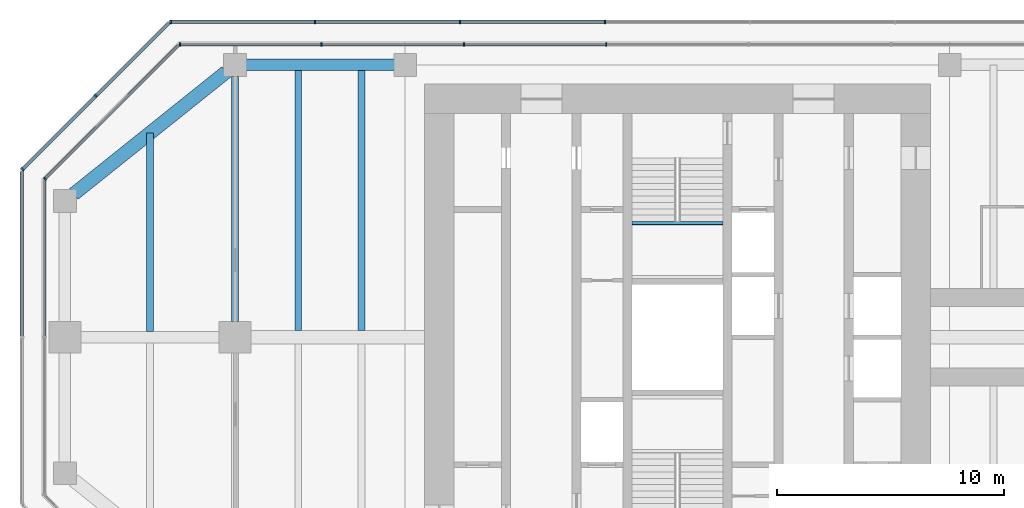
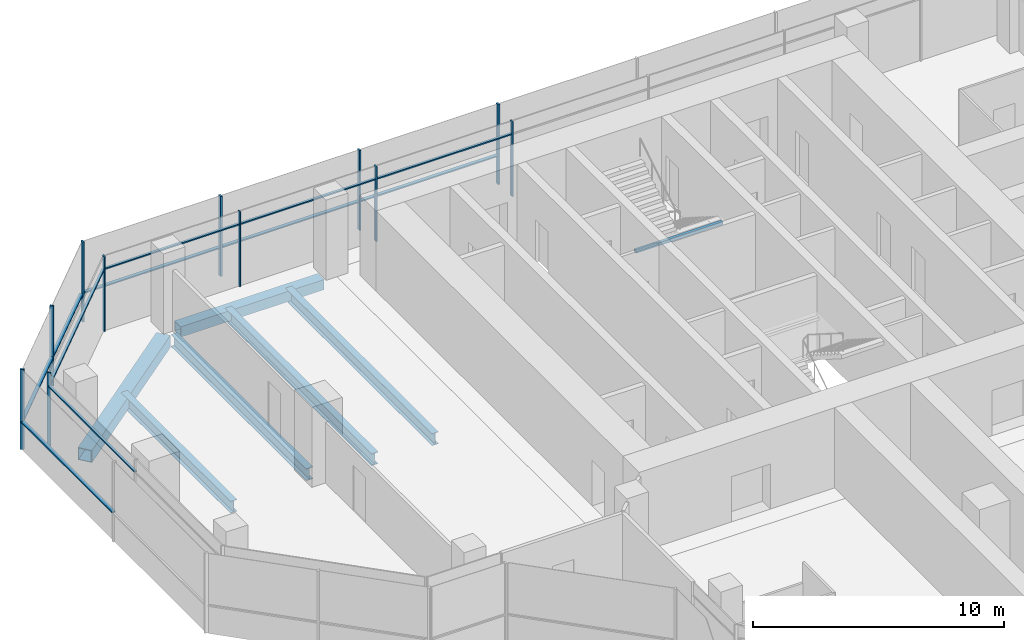
# One storey, part 6 of 15: 22 members, 7 beams, 6 elements without a shape of their own.
"""IFC4 building model written with IfcOpenShell, lengths in metres."""

from ifc_helpers import new_model, si_unit, direction, frame, origin, origin_2d, place, context, subcontext, project, spatial, rectangle, hollow_rectangle, i_section, extrude, material, material_profile, profile_set, type_object, element, aggregate, save


model = new_model("IFC4")

# Units and contexts
model_context = context("Model", 3, precision=1e-05, world=origin(), true_north=direction((0.0, 1.0)))
body_context = subcontext(model_context, "Body", "Model", "MODEL_VIEW")
ifc_project = project(units=[si_unit("LENGTHUNIT", "METRE"), si_unit("AREAUNIT", "SQUARE_METRE"), si_unit("VOLUMEUNIT", "CUBIC_METRE"), si_unit("PLANEANGLEUNIT", "RADIAN"), si_unit("MASSUNIT", "GRAM", prefix="KILO")], contexts=[model_context])

# Site, building, storey
site_placement = place(None, origin())
site = spatial("IfcSite", under=ifc_project, at=site_placement, CompositionType="ELEMENT")
building_placement = place(site_placement, origin())
building = spatial("IfcBuilding", under=site, at=building_placement, Name="Mizan Broadcast Tower", CompositionType="ELEMENT")
storey_placement = place(building_placement, frame((0.0, 0.0, 302.39990234375)))
storey = spatial("IfcBuildingStorey", under=building, at=storey_placement, Name="L72", CompositionType="ELEMENT", Elevation=302.39990234375)

# Beams
ifc_material_1 = material(Name="Steel S355", Category="steel")
ifc_material_profile_1 = material_profile(ifc_material_1, hollow_rectangle(XDim=0.5, YDim=0.5, WallThickness=0.030029296875, at=origin_2d()), Name="BOX 500x500x30")
ifc_profile_set_1 = profile_set([ifc_material_profile_1], Name="Steel S355")
beam_type_1 = type_object("IfcBeamType", Name="EDGE BEAM BOX 500x500x30", PredefinedType="SPANDREL", material=ifc_profile_set_1)
beam_1_placement = place(storey_placement, frame((-12.449951171875, 12.0, -0.3798828125), z_axis=(-1.0, 0.0, 0.0), x_axis=(0.0, -1.0, 0.0)))
element("IfcBeam", 1, at=beam_1_placement, inside=storey, type_object=beam_type_1, Name="Edge beam BOX 500x500x30 L72 west arm", PredefinedType="SPANDREL", context=body_context, shape_type="SweptSolid", body=[
    extrude(hollow_rectangle(XDim=0.5, YDim=0.5, WallThickness=0.030029296875, at=origin_2d()), origin(), (0.0, 0.0, 1.0), 6.60009765625),
])
ifc_material_2 = material(Name="Steel S355", Category="steel")
ifc_material_profile_2 = material_profile(ifc_material_2, hollow_rectangle(XDim=0.60009765625, YDim=0.60009765625, WallThickness=0.030029296875, at=origin_2d()), Name="BOX 600x600x30")
ifc_profile_set_2 = profile_set([ifc_material_profile_2], Name="Steel S355")
beam_type_2 = type_object("IfcBeamType", Name="EDGE BEAM BOX 600x600x30", PredefinedType="SPANDREL", material=ifc_profile_set_2)
beam_2_placement = place(storey_placement, frame((-19.890380859375, 11.687744140625, -0.429931640625), z_axis=(-0.780863273348, -0.62470196761, 0.0), x_axis=(0.62470196761, -0.780863273348, 0.0)))
element("IfcBeam", 2, at=beam_2_placement, inside=storey, type_object=beam_type_2, Name="Edge beam BOX 600x600x30 L72 west arm", PredefinedType="SPANDREL", context=body_context, shape_type="SweptSolid", body=[
    extrude(hollow_rectangle(XDim=0.60009765625, YDim=0.60009765625, WallThickness=0.030029296875, at=origin_2d()), origin(), (0.0, 0.0, 1.0), 8.60498046875),
])
ifc_material_3 = material(Name="Steel S355", Category="steel")
ifc_material_profile_3 = material_profile(ifc_material_3, i_section(OverallWidth=0.300048828125, OverallDepth=0.590087890625, WebThickness=0.012939453125, FlangeThickness=0.02490234375, FilletRadius=0.027099609375, at=origin_2d()), Name="HEA 600")
ifc_profile_set_3 = profile_set([ifc_material_profile_3], Name="Steel S355")
beam_type_3 = type_object("IfcBeamType", Name="GIRDER HEA 600", PredefinedType="BEAM", material=ifc_profile_set_3)
beam_3_placement = place(storey_placement, frame((-19.5, 11.5, -0.4248046875), z_axis=(0.0, -1.0, 0.0), x_axis=(1.0, 0.0, 0.0)))
element("IfcBeam", 3, at=beam_3_placement, inside=storey, type_object=beam_type_3, Name="Girder HEA 600 L72 west arm", PredefinedType="BEAM", context=body_context, shape_type="SweptSolid", body=[
    extrude(i_section(OverallWidth=0.300048828125, OverallDepth=0.590087890625, WebThickness=0.012939453125, FlangeThickness=0.02490234375, FilletRadius=0.027099609375, at=origin_2d()), origin(), (0.0, 0.0, 1.0), 10.800048828125),
])

# Curtain wall, members
ifc_material_4 = material(Name="Aluminium framed glazing", Category="aluminium")
curtain_wall_type_1 = type_object("IfcCurtainWallType", Name="INNER SKIN TOP ZONE", PredefinedType="USERDEFINED", material=ifc_material_4)
curtain_wall_1_placement = place(storey_placement, origin())
curtain_wall_1 = element("IfcCurtainWall", 4, at=curtain_wall_1_placement, inside=storey, type_object=curtain_wall_type_1, Name="Inner skin top zone L72 N end", ObjectType="INNER SKIN TOP ZONE", PredefinedType="USERDEFINED")
ifc_material_5 = material(Name="Aluminium, pale anodised", Category="aluminium")
ifc_material_profile_4 = material_profile(ifc_material_5, rectangle(XDim=0.159912109375, YDim=0.06005859375, at=origin_2d()), Name="MULLION 160x60")
ifc_profile_set_4 = profile_set([ifc_material_profile_4], Name="Aluminium, pale anodised")
member_type_1 = type_object("IfcMemberType", Name="INNER SKIN MULLION 60x160", PredefinedType="MULLION", material=ifc_profile_set_4)
member_1_placement = place(storey_placement, frame((-3.136962890625, 12.89990234375, 0.0), z_axis=(0.0, 0.0, 1.0), x_axis=(0.0, -1.0, 0.0)))
member_1 = element("IfcMember", 5, at=member_1_placement, type_object=member_type_1, Name="Inner skin top zone L72 N end mullion 5", PredefinedType="MULLION", context=body_context, shape_type="SweptSolid", body=[
    extrude(rectangle(XDim=0.159912109375, YDim=0.06005859375, at=origin_2d()), origin(), (0.0, 0.0, 1.0), 3.650146484375),
])
member_2_placement = place(storey_placement, frame((-9.410888671875, 12.89990234375, 0.0), z_axis=(0.0, 0.0, 1.0), x_axis=(0.0, -1.0, 0.0)))
member_2 = element("IfcMember", 6, at=member_2_placement, type_object=member_type_1, Name="Inner skin top zone L72 N end mullion 6", PredefinedType="MULLION", context=body_context, shape_type="SweptSolid", body=[
    extrude(rectangle(XDim=0.159912109375, YDim=0.06005859375, at=origin_2d()), origin(), (0.0, 0.0, 1.0), 3.650146484375),
])
member_3_placement = place(storey_placement, frame((-15.684814453125, 12.89990234375, 0.0), z_axis=(0.0, 0.0, 1.0), x_axis=(0.0, -1.0, 0.0)))
member_3 = element("IfcMember", 7, at=member_3_placement, type_object=member_type_1, Name="Inner skin top zone L72 N end mullion 7", PredefinedType="MULLION", context=body_context, shape_type="SweptSolid", body=[
    extrude(rectangle(XDim=0.159912109375, YDim=0.06005859375, at=origin_2d()), origin(), (0.0, 0.0, 1.0), 3.650146484375),
])
member_4_placement = place(storey_placement, frame((-21.928466796875, 12.89990234375, 0.0), z_axis=(0.0, 0.0, 1.0), x_axis=(0.0, -1.0, 0.0)))
member_4 = element("IfcMember", 8, at=member_4_placement, type_object=member_type_1, Name="Inner skin top zone L72 N end mullion 8", PredefinedType="MULLION", context=body_context, shape_type="SweptSolid", body=[
    extrude(rectangle(XDim=0.159912109375, YDim=0.06005859375, at=origin_2d()), origin(), (0.0, 0.0, 1.0), 3.650146484375),
])

# Curtain wall, member
curtain_wall_2_placement = place(storey_placement, origin())
curtain_wall_2 = element("IfcCurtainWall", 9, at=curtain_wall_2_placement, inside=storey, type_object=curtain_wall_type_1, Name="Inner skin top zone L72 W chamfer", ObjectType="INNER SKIN TOP ZONE", PredefinedType="USERDEFINED")
member_5_placement = place(storey_placement, frame((-27.87890625, 6.979736328125, 0.0), z_axis=(0.0, 0.0, 1.0), x_axis=(0.707106781187, -0.707106781187, 0.0)))
member_5 = element("IfcMember", 10, at=member_5_placement, type_object=member_type_1, Name="Inner skin top zone L72 W chamfer mullion 2", PredefinedType="MULLION", context=body_context, shape_type="SweptSolid", body=[
    extrude(rectangle(XDim=0.159912109375, YDim=0.06005859375, at=origin_2d()), origin(), (0.0, 0.0, 1.0), 3.650146484375),
])

# Member
ifc_material_6 = material(Name="Aluminium, pale anodised", Category="aluminium")
ifc_material_profile_5 = material_profile(ifc_material_6, rectangle(XDim=0.1201171875, YDim=0.06005859375, at=origin_2d()), Name="TRANSOM 120x60")
ifc_profile_set_5 = profile_set([ifc_material_profile_5], Name="Aluminium, pale anodised")
member_type_2 = type_object("IfcMemberType", Name="INNER SKIN TRANSOM 60x120", PredefinedType="USERDEFINED", material=ifc_profile_set_5)
member_6_placement = place(storey_placement, frame((-3.1669921875, 12.89990234375, 3.030029296875), z_axis=(-1.0, 0.0, 0.0), x_axis=(0.0, -1.0, 0.0)))
member_6 = element("IfcMember", 11, at=member_6_placement, type_object=member_type_2, Name="Inner skin top zone L72 N end transom 5.1", ObjectType="TRANSOM", PredefinedType="USERDEFINED", context=body_context, shape_type="SweptSolid", body=[
    extrude(rectangle(XDim=0.1201171875, YDim=0.06005859375, at=origin_2d()), origin(), (0.0, 0.0, 1.0), 6.2138671875),
])

member_7_placement = place(storey_placement, frame((-9.44091796875, 12.89990234375, 3.030029296875), z_axis=(-1.0, 0.0, 0.0), x_axis=(0.0, -1.0, 0.0)))
member_7 = element("IfcMember", 12, at=member_7_placement, type_object=member_type_2, Name="Inner skin top zone L72 N end transom 6.1", ObjectType="TRANSOM", PredefinedType="USERDEFINED", context=body_context, shape_type="SweptSolid", body=[
    extrude(rectangle(XDim=0.1201171875, YDim=0.06005859375, at=origin_2d()), origin(), (0.0, 0.0, 1.0), 6.2138671875),
])

member_8_placement = place(storey_placement, frame((-15.714599609375, 12.89990234375, 3.030029296875), z_axis=(-1.0, 0.0, 0.0), x_axis=(0.0, -1.0, 0.0)))
member_8 = element("IfcMember", 13, at=member_8_placement, type_object=member_type_2, Name="Inner skin top zone L72 N end transom 7.1", ObjectType="TRANSOM", PredefinedType="USERDEFINED", context=body_context, shape_type="SweptSolid", body=[
    extrude(rectangle(XDim=0.1201171875, YDim=0.06005859375, at=origin_2d()), origin(), (0.0, 0.0, 1.0), 6.18408203125),
])

aggregate(curtain_wall_1, [member_1, member_2, member_3, member_4, member_6, member_7, member_8])

member_9_placement = place(storey_placement, frame((-22.0009765625, 12.857666015625, 3.030029296875), z_axis=(-0.707106781187, -0.707106781187, 0.0), x_axis=(0.707106781187, -0.707106781187, 0.0)))
member_9 = element("IfcMember", 14, at=member_9_placement, type_object=member_type_2, Name="Inner skin top zone L72 W chamfer transom 1.1", ObjectType="TRANSOM", PredefinedType="USERDEFINED", context=body_context, shape_type="SweptSolid", body=[
    extrude(rectangle(XDim=0.1201171875, YDim=0.06005859375, at=origin_2d()), origin(), (0.0, 0.0, 1.0), 8.28271484375),
])

aggregate(curtain_wall_2, [member_5, member_9])

# Curtain wall, member
curtain_wall_3_placement = place(storey_placement, origin())
curtain_wall_3 = element("IfcCurtainWall", 15, at=curtain_wall_3_placement, inside=storey, type_object=curtain_wall_type_1, Name="Inner skin top zone L72 W end", ObjectType="INNER SKIN TOP ZONE", PredefinedType="USERDEFINED")
member_10_placement = place(storey_placement, frame((-27.89990234375, 6.898681640625, 3.030029296875), z_axis=(0.0, -1.0, 0.0), x_axis=(1.0, 0.0, 0.0)))
member_10 = element("IfcMember", 16, at=member_10_placement, type_object=member_type_2, Name="Inner skin top zone L72 W end transom 1.1", ObjectType="TRANSOM", PredefinedType="USERDEFINED", context=body_context, shape_type="SweptSolid", body=[
    extrude(rectangle(XDim=0.1201171875, YDim=0.06005859375, at=origin_2d()), origin(), (0.0, 0.0, 1.0), 6.86865234375),
])
aggregate(curtain_wall_3, [member_10])

# Beam
ifc_material_7 = material(Name="Steel S355", Category="steel")
ifc_material_profile_6 = material_profile(ifc_material_7, hollow_rectangle(XDim=0.14990234375, YDim=0.14990234375, WallThickness=0.008056640625, InnerFilletRadius=0.008056640625, OuterFilletRadius=0.011962890625, at=origin_2d()), Name="SHS 150x150x8")
ifc_profile_set_6 = profile_set([ifc_material_profile_6], Name="Steel S355")
beam_type_4 = type_object("IfcBeamType", Name="LANDING TRIMMER SHS 150x150x8", PredefinedType="BEAM", material=ifc_profile_set_6)
beam_4_placement = place(storey_placement, frame((2.0, 5.02490234375, 1.675048828125), z_axis=(-1.0, 0.0, 0.0), x_axis=(0.0, -1.0, 0.0)))
element("IfcBeam", 17, at=beam_4_placement, inside=storey, type_object=beam_type_4, Name="Stair B landing trimmer L72", PredefinedType="BEAM", context=body_context, shape_type="SweptSolid", body=[
    extrude(hollow_rectangle(XDim=0.14990234375, YDim=0.14990234375, WallThickness=0.008056640625, InnerFilletRadius=0.008056640625, OuterFilletRadius=0.011962890625, at=origin_2d()), origin(), (0.0, 0.0, 1.0), 4.0),
])

# Curtain wall, members
ifc_material_8 = material(Name="Aluminium framed glazing", Category="aluminium")
curtain_wall_type_2 = type_object("IfcCurtainWallType", Name="OUTER SKIN", PredefinedType="USERDEFINED", material=ifc_material_8)
curtain_wall_4_placement = place(storey_placement, origin())
curtain_wall_4 = element("IfcCurtainWall", 18, at=curtain_wall_4_placement, inside=storey, type_object=curtain_wall_type_2, Name="Outer skin L72 N end", ObjectType="OUTER SKIN", PredefinedType="USERDEFINED")
ifc_material_9 = material(Name="Aluminium, pale anodised", Category="aluminium")
ifc_material_profile_7 = material_profile(ifc_material_9, rectangle(XDim=0.159912109375, YDim=0.080078125, at=origin_2d()), Name="MULLION 160x80")
ifc_profile_set_7 = profile_set([ifc_material_profile_7], Name="Aluminium, pale anodised")
member_type_3 = type_object("IfcMemberType", Name="OUTER SKIN MULLION 80x160", PredefinedType="MULLION", material=ifc_profile_set_7)
member_11_placement = place(storey_placement, frame((-3.196044921875, 13.89990234375, 0.0), z_axis=(0.0, 0.0, 1.0), x_axis=(0.0, -1.0, 0.0)))
member_11 = element("IfcMember", 19, at=member_11_placement, type_object=member_type_3, Name="Outer skin L72 N end mullion 5", PredefinedType="MULLION", context=body_context, shape_type="SweptSolid", body=[
    extrude(rectangle(XDim=0.159912109375, YDim=0.080078125, at=origin_2d()), origin(), (0.0, 0.0, 1.0), 3.900146484375),
])
member_12_placement = place(storey_placement, frame((-9.58837890625, 13.89990234375, 0.0), z_axis=(0.0, 0.0, 1.0), x_axis=(0.0, -1.0, 0.0)))
member_12 = element("IfcMember", 20, at=member_12_placement, type_object=member_type_3, Name="Outer skin L72 N end mullion 6", PredefinedType="MULLION", context=body_context, shape_type="SweptSolid", body=[
    extrude(rectangle(XDim=0.159912109375, YDim=0.080078125, at=origin_2d()), origin(), (0.0, 0.0, 1.0), 3.900146484375),
])
member_13_placement = place(storey_placement, frame((-15.98046875, 13.89990234375, 0.0), z_axis=(0.0, 0.0, 1.0), x_axis=(0.0, -1.0, 0.0)))
member_13 = element("IfcMember", 21, at=member_13_placement, type_object=member_type_3, Name="Outer skin L72 N end mullion 7", PredefinedType="MULLION", context=body_context, shape_type="SweptSolid", body=[
    extrude(rectangle(XDim=0.159912109375, YDim=0.080078125, at=origin_2d()), origin(), (0.0, 0.0, 1.0), 3.900146484375),
])
member_14_placement = place(storey_placement, frame((-22.332763671875, 13.89990234375, 0.0), z_axis=(0.0, 0.0, 1.0), x_axis=(0.0, -1.0, 0.0)))
member_14 = element("IfcMember", 22, at=member_14_placement, type_object=member_type_3, Name="Outer skin L72 N end mullion 8", PredefinedType="MULLION", context=body_context, shape_type="SweptSolid", body=[
    extrude(rectangle(XDim=0.159912109375, YDim=0.080078125, at=origin_2d()), origin(), (0.0, 0.0, 1.0), 3.900146484375),
])

curtain_wall_5_placement = place(storey_placement, origin())
curtain_wall_5 = element("IfcCurtainWall", 23, at=curtain_wall_5_placement, inside=storey, type_object=curtain_wall_type_2, Name="Outer skin L72 W chamfer", ObjectType="OUTER SKIN", PredefinedType="USERDEFINED")
member_15_placement = place(storey_placement, frame((-25.636474609375, 10.636474609375, 0.0), z_axis=(0.0, 0.0, 1.0), x_axis=(0.707106781187, -0.707106781187, 0.0)))
member_15 = element("IfcMember", 24, at=member_15_placement, type_object=member_type_3, Name="Outer skin L72 W chamfer mullion 2", PredefinedType="MULLION", context=body_context, shape_type="SweptSolid", body=[
    extrude(rectangle(XDim=0.159912109375, YDim=0.080078125, at=origin_2d()), origin(), (0.0, 0.0, 1.0), 3.900146484375),
])
member_16_placement = place(storey_placement, frame((-28.871826171875, 7.401123046875, 0.0), z_axis=(0.0, 0.0, 1.0), x_axis=(0.707106781187, -0.707106781187, 0.0)))
member_16 = element("IfcMember", 25, at=member_16_placement, type_object=member_type_3, Name="Outer skin L72 W chamfer mullion 3", PredefinedType="MULLION", context=body_context, shape_type="SweptSolid", body=[
    extrude(rectangle(XDim=0.159912109375, YDim=0.080078125, at=origin_2d()), origin(), (0.0, 0.0, 1.0), 3.900146484375),
])

# Member
ifc_material_10 = material(Name="Aluminium, pale anodised", Category="aluminium")
ifc_material_profile_8 = material_profile(ifc_material_10, rectangle(XDim=0.159912109375, YDim=0.06005859375, at=origin_2d()), Name="TRANSOM 160x60")
ifc_profile_set_8 = profile_set([ifc_material_profile_8], Name="Aluminium, pale anodised")
member_type_4 = type_object("IfcMemberType", Name="OUTER SKIN TRANSOM 60x160", PredefinedType="USERDEFINED", material=ifc_profile_set_8)
member_17_placement = place(storey_placement, frame((-3.236083984375, 13.89990234375, 1.400146484375), z_axis=(-1.0, 0.0, 0.0), x_axis=(0.0, -1.0, 0.0)))
member_17 = element("IfcMember", 26, at=member_17_placement, type_object=member_type_4, Name="Outer skin L72 N end transom 5.1", ObjectType="TRANSOM", PredefinedType="USERDEFINED", context=body_context, shape_type="SweptSolid", body=[
    extrude(rectangle(XDim=0.159912109375, YDim=0.06005859375, at=origin_2d()), origin(), (0.0, 0.0, 1.0), 6.312255859375),
])

member_18_placement = place(storey_placement, frame((-9.62841796875, 13.89990234375, 1.400146484375), z_axis=(-1.0, 0.0, 0.0), x_axis=(0.0, -1.0, 0.0)))
member_18 = element("IfcMember", 27, at=member_18_placement, type_object=member_type_4, Name="Outer skin L72 N end transom 6.1", ObjectType="TRANSOM", PredefinedType="USERDEFINED", context=body_context, shape_type="SweptSolid", body=[
    extrude(rectangle(XDim=0.159912109375, YDim=0.06005859375, at=origin_2d()), origin(), (0.0, 0.0, 1.0), 6.312255859375),
])

member_19_placement = place(storey_placement, frame((-16.0205078125, 13.89990234375, 1.400146484375), z_axis=(-1.0, 0.0, 0.0), x_axis=(0.0, -1.0, 0.0)))
member_19 = element("IfcMember", 28, at=member_19_placement, type_object=member_type_4, Name="Outer skin L72 N end transom 7.1", ObjectType="TRANSOM", PredefinedType="USERDEFINED", context=body_context, shape_type="SweptSolid", body=[
    extrude(rectangle(XDim=0.159912109375, YDim=0.06005859375, at=origin_2d()), origin(), (0.0, 0.0, 1.0), 6.272216796875),
])

aggregate(curtain_wall_4, [member_11, member_12, member_13, member_14, member_17, member_18, member_19])

member_20_placement = place(storey_placement, frame((-22.429443359375, 13.843505859375, 1.400146484375), z_axis=(-0.707106781187, -0.707106781187, 0.0), x_axis=(0.707106781187, -0.707106781187, 0.0)))
member_20 = element("IfcMember", 29, at=member_20_placement, type_object=member_type_4, Name="Outer skin L72 W chamfer transom 1.1", ObjectType="TRANSOM", PredefinedType="USERDEFINED", context=body_context, shape_type="SweptSolid", body=[
    extrude(rectangle(XDim=0.159912109375, YDim=0.06005859375, at=origin_2d()), origin(), (0.0, 0.0, 1.0), 4.495361328125),
])

member_21_placement = place(storey_placement, frame((-25.664794921875, 10.608154296875, 1.400146484375), z_axis=(-0.707106781187, -0.707106781187, 0.0), x_axis=(0.707106781187, -0.707106781187, 0.0)))
member_21 = element("IfcMember", 30, at=member_21_placement, type_object=member_type_4, Name="Outer skin L72 W chamfer transom 2.1", ObjectType="TRANSOM", PredefinedType="USERDEFINED", context=body_context, shape_type="SweptSolid", body=[
    extrude(rectangle(XDim=0.159912109375, YDim=0.06005859375, at=origin_2d()), origin(), (0.0, 0.0, 1.0), 4.495361328125),
])

aggregate(curtain_wall_5, [member_15, member_16, member_20, member_21])

# Curtain wall, member
curtain_wall_6_placement = place(storey_placement, origin())
curtain_wall_6 = element("IfcCurtainWall", 31, at=curtain_wall_6_placement, inside=storey, type_object=curtain_wall_type_2, Name="Outer skin L72 W end", ObjectType="OUTER SKIN", PredefinedType="USERDEFINED")
member_22_placement = place(storey_placement, frame((-28.89990234375, 7.292724609375, 1.400146484375), z_axis=(0.0, -1.0, 0.0), x_axis=(1.0, 0.0, 0.0)))
member_22 = element("IfcMember", 32, at=member_22_placement, type_object=member_type_4, Name="Outer skin L72 W end transom 1.1", ObjectType="TRANSOM", PredefinedType="USERDEFINED", context=body_context, shape_type="SweptSolid", body=[
    extrude(rectangle(XDim=0.159912109375, YDim=0.06005859375, at=origin_2d()), origin(), (0.0, 0.0, 1.0), 7.252685546875),
])
aggregate(curtain_wall_6, [member_22])

# Beams
ifc_material_11 = material(Name="Steel S355", Category="steel")
ifc_material_profile_9 = material_profile(ifc_material_11, i_section(OverallWidth=0.300048828125, OverallDepth=0.590087890625, WebThickness=0.012939453125, FlangeThickness=0.02490234375, FilletRadius=0.027099609375, at=origin_2d()), Name="HEA 600")
ifc_profile_set_9 = profile_set([ifc_material_profile_9], Name="Steel S355")
beam_type_5 = type_object("IfcBeamType", Name="SECONDARY BEAM HEA 600", PredefinedType="JOIST", material=ifc_profile_set_9)
for number, where, z_axis, x_axis, name in (
    (33, (-13.933349609375, 12.0, -0.4248046875), (0.0, -1.0, 0.0), (1.0, 0.0, 0.0), "Secondary beam HEA 600 L72 west arm"),
    (34, (-16.716552734375, 12.0, -0.4248046875), (0.0, -1.0, 0.0), (1.0, 0.0, 0.0), "Secondary beam HEA 600 L72 west arm"),
):
    element("IfcBeam", number, at=place(storey_placement, frame(where, z_axis=z_axis, x_axis=x_axis)), inside=storey, type_object=beam_type_5, Name=name, PredefinedType="JOIST", context=body_context, shape_type="SweptSolid", body=[
        extrude(i_section(OverallWidth=0.300048828125, OverallDepth=0.590087890625, WebThickness=0.012939453125, FlangeThickness=0.02490234375, FilletRadius=0.027099609375, at=origin_2d()), origin(), (0.0, 0.0, 1.0), 11.699951171875),
    ])
beam_5_placement = place(storey_placement, frame((-23.25, 9.0, -0.4248046875), z_axis=(0.0, -1.0, 0.0), x_axis=(1.0, 0.0, 0.0)))
element("IfcBeam", 35, at=beam_5_placement, inside=storey, type_object=beam_type_5, Name="Secondary beam HEA 600 L72 west arm", PredefinedType="JOIST", context=body_context, shape_type="SweptSolid", body=[
    extrude(i_section(OverallWidth=0.300048828125, OverallDepth=0.590087890625, WebThickness=0.012939453125, FlangeThickness=0.02490234375, FilletRadius=0.027099609375, at=origin_2d()), origin(), (0.0, 0.0, 1.0), 8.75),
])

save(model, "model.ifc")
